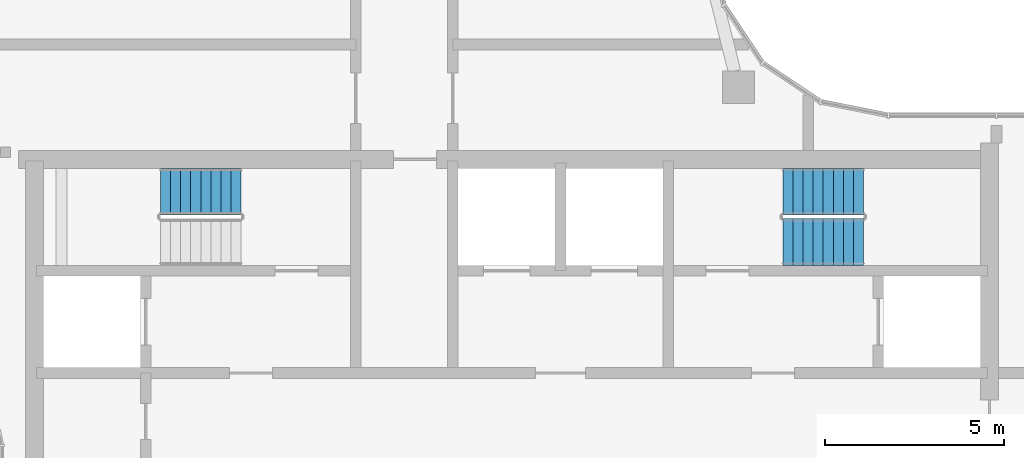
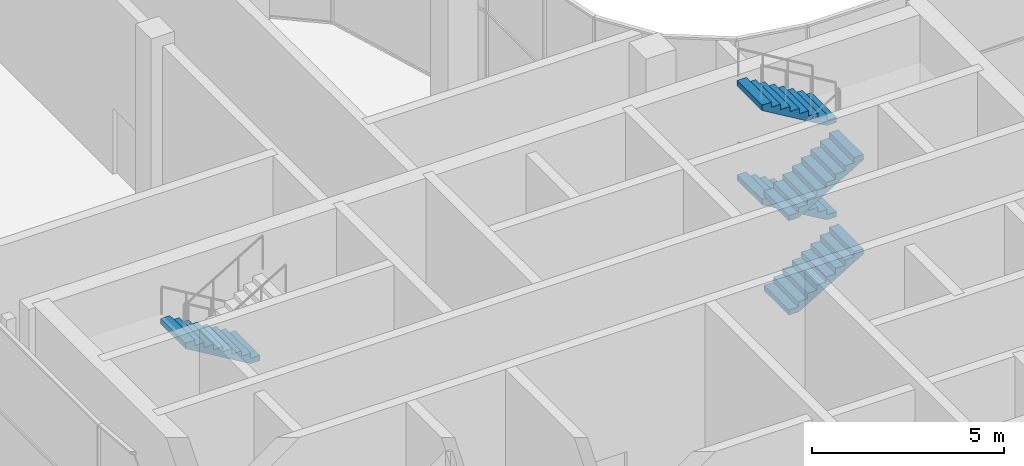
# One storey, part 19 of 21: 5 stair flights, 2 elements without a shape of their own.
"""IFC4 building model written with IfcOpenShell, lengths in metres."""

from ifc_helpers import new_model, si_unit, direction, frame, origin, place, context, subcontext, project, spatial, triangles, source, transform, mapped, material, type_object, element, aggregate, save


model = new_model("IFC4")

# Units and contexts
model_context = context("Model", 3, precision=1e-05, world=origin(), true_north=direction((0.0, 1.0)))
body_context = subcontext(model_context, "Body", "Model", "MODEL_VIEW")
ifc_project = project(units=[si_unit("LENGTHUNIT", "METRE"), si_unit("AREAUNIT", "SQUARE_METRE"), si_unit("VOLUMEUNIT", "CUBIC_METRE"), si_unit("PLANEANGLEUNIT", "RADIAN"), si_unit("MASSUNIT", "GRAM", prefix="KILO")], contexts=[model_context])

# Site, building, storey
site_placement = place(None, origin())
site = spatial("IfcSite", under=ifc_project, at=site_placement, CompositionType="ELEMENT")
building_placement = place(site_placement, origin())
building = spatial("IfcBuilding", under=site, at=building_placement, Name="Ogive Portal Towers", CompositionType="ELEMENT")
storey_placement = place(building_placement, frame((0.0, 0.0, 266.89990234375)))
storey = spatial("IfcBuildingStorey", under=building, at=storey_placement, Name="L65", CompositionType="ELEMENT", Elevation=266.89990234375)

# Stair, stair flight
ifc_material = material(Name="Concrete C40/50", Category="concrete")
stair_type = type_object("IfcStairType", Name="INT-STAIR", PredefinedType="HALF_TURN_STAIR", material=ifc_material)
stair_1_placement = place(storey_placement, origin())
stair_1 = element("IfcStair", 1, at=stair_1_placement, inside=storey, type_object=stair_type, Name="L65 Exit Stair ST-A1", PredefinedType="HALF_TURN_STAIR")
stair_flight_type = type_object("IfcStairFlightType", Name="INT-FLIGHT", PredefinedType="STRAIGHT", material=ifc_material)
shared_shape = source(origin(), body_context, "Body", "Tessellation", [
    triangles([(0.0, -0.650146484375, 0.0), (0.0, -0.376220703125, 0.0), (0.0, -0.192626953125, 0.0), (0.0, -0.081298828125, 0.0), (0.0, -0.024169921875, 0.0), (0.0, -0.003173828125, 0.0), (0.0, 0.0, 0.0), (0.0, 0.0029296875, 0.0), (0.0, 0.02392578125, 0.0), (0.0, 0.0810546875, 0.0), (0.0, 0.1923828125, 0.0), (0.0, 0.3759765625, 0.0), (0.0, 0.64990234375, 0.0), (0.0, -0.650146484375, 0.166748046875), (0.0, -0.376220703125, 0.166748046875), (0.0, -0.192626953125, 0.166748046875), (0.0, -0.081298828125, 0.166748046875), (0.0, -0.024169921875, 0.166748046875), (0.0, -0.003173828125, 0.166748046875), (0.0, 0.0, 0.166748046875), (0.0, 0.0029296875, 0.166748046875), (0.0, 0.02392578125, 0.166748046875), (0.0, 0.0810546875, 0.166748046875), (0.0, 0.1923828125, 0.166748046875), (0.0, 0.3759765625, 0.166748046875), (0.0, 0.64990234375, 0.166748046875), (0.280029296875, -0.650146484375, 0.166748046875), (0.280029296875, -0.376220703125, 0.166748046875), (0.280029296875, -0.192626953125, 0.166748046875), (0.280029296875, -0.081298828125, 0.166748046875), (0.280029296875, -0.024169921875, 0.166748046875), (0.280029296875, -0.003173828125, 0.166748046875), (0.280029296875, 0.0, 0.166748046875), (0.280029296875, 0.0029296875, 0.166748046875), (0.280029296875, 0.02392578125, 0.166748046875), (0.280029296875, 0.0810546875, 0.166748046875), (0.280029296875, 0.1923828125, 0.166748046875), (0.280029296875, 0.3759765625, 0.166748046875), (0.280029296875, 0.64990234375, 0.166748046875), (0.280029296875, -0.650146484375, 0.333251953125), (0.280029296875, -0.376220703125, 0.333251953125), (0.280029296875, -0.192626953125, 0.333251953125), (0.280029296875, -0.081298828125, 0.333251953125), (0.280029296875, -0.024169921875, 0.333251953125), (0.280029296875, -0.003173828125, 0.333251953125), (0.280029296875, 0.0, 0.333251953125), (0.280029296875, 0.0029296875, 0.333251953125), (0.280029296875, 0.02392578125, 0.333251953125), (0.280029296875, 0.0810546875, 0.333251953125), (0.280029296875, 0.1923828125, 0.333251953125), (0.280029296875, 0.3759765625, 0.333251953125), (0.280029296875, 0.64990234375, 0.333251953125), (0.56005859375, -0.650146484375, 0.333251953125), (0.56005859375, -0.376220703125, 0.333251953125), (0.56005859375, -0.192626953125, 0.333251953125), (0.56005859375, -0.081298828125, 0.333251953125), (0.56005859375, -0.024169921875, 0.333251953125), (0.56005859375, -0.003173828125, 0.333251953125), (0.56005859375, 0.0, 0.333251953125), (0.56005859375, 0.0029296875, 0.333251953125), (0.56005859375, 0.02392578125, 0.333251953125), (0.56005859375, 0.0810546875, 0.333251953125), (0.56005859375, 0.1923828125, 0.333251953125), (0.56005859375, 0.3759765625, 0.333251953125), (0.56005859375, 0.64990234375, 0.333251953125), (0.56005859375, -0.650146484375, 0.5), (0.56005859375, -0.376220703125, 0.5), (0.56005859375, -0.192626953125, 0.5), (0.56005859375, -0.081298828125, 0.5), (0.56005859375, -0.024169921875, 0.5), (0.56005859375, -0.003173828125, 0.5), (0.56005859375, 0.0, 0.5), (0.56005859375, 0.0029296875, 0.5), (0.56005859375, 0.02392578125, 0.5), (0.56005859375, 0.0810546875, 0.5), (0.56005859375, 0.1923828125, 0.5), (0.56005859375, 0.3759765625, 0.5), (0.56005859375, 0.64990234375, 0.5), (0.840087890625, -0.650146484375, 0.5), (0.840087890625, -0.376220703125, 0.5), (0.840087890625, -0.192626953125, 0.5), (0.840087890625, -0.081298828125, 0.5), (0.840087890625, -0.024169921875, 0.5), (0.840087890625, -0.003173828125, 0.5), (0.840087890625, 0.0, 0.5), (0.840087890625, 0.0029296875, 0.5), (0.840087890625, 0.02392578125, 0.5), (0.840087890625, 0.0810546875, 0.5), (0.840087890625, 0.1923828125, 0.5), (0.840087890625, 0.3759765625, 0.5), (0.840087890625, 0.64990234375, 0.5), (0.840087890625, -0.650146484375, 0.666748046875), (0.840087890625, -0.376220703125, 0.666748046875), (0.840087890625, -0.192626953125, 0.666748046875), (0.840087890625, -0.081298828125, 0.666748046875), (0.840087890625, -0.024169921875, 0.666748046875), (0.840087890625, -0.003173828125, 0.666748046875), (0.840087890625, 0.0, 0.666748046875), (0.840087890625, 0.0029296875, 0.666748046875), (0.840087890625, 0.02392578125, 0.666748046875), (0.840087890625, 0.0810546875, 0.666748046875), (0.840087890625, 0.1923828125, 0.666748046875), (0.840087890625, 0.3759765625, 0.666748046875), (0.840087890625, 0.64990234375, 0.666748046875), (1.1201171875, -0.650146484375, 0.666748046875), (1.1201171875, -0.376220703125, 0.666748046875), (1.1201171875, -0.192626953125, 0.666748046875), (1.1201171875, -0.081298828125, 0.666748046875), (1.1201171875, -0.024169921875, 0.666748046875), (1.1201171875, -0.003173828125, 0.666748046875), (1.1201171875, 0.0, 0.666748046875), (1.1201171875, 0.0029296875, 0.666748046875), (1.1201171875, 0.02392578125, 0.666748046875), (1.1201171875, 0.0810546875, 0.666748046875), (1.1201171875, 0.1923828125, 0.666748046875), (1.1201171875, 0.3759765625, 0.666748046875), (1.1201171875, 0.64990234375, 0.666748046875), (1.1201171875, -0.650146484375, 0.833251953125), (1.1201171875, -0.376220703125, 0.833251953125), (1.1201171875, -0.192626953125, 0.833251953125), (1.1201171875, -0.081298828125, 0.833251953125), (1.1201171875, -0.024169921875, 0.833251953125), (1.1201171875, -0.003173828125, 0.833251953125), (1.1201171875, 0.0, 0.833251953125), (1.1201171875, 0.0029296875, 0.833251953125), (1.1201171875, 0.02392578125, 0.833251953125), (1.1201171875, 0.0810546875, 0.833251953125), (1.1201171875, 0.1923828125, 0.833251953125), (1.1201171875, 0.3759765625, 0.833251953125), (1.1201171875, 0.64990234375, 0.833251953125), (1.39990234375, -0.650146484375, 0.833251953125), (1.39990234375, -0.376220703125, 0.833251953125), (1.39990234375, -0.192626953125, 0.833251953125), (1.39990234375, -0.081298828125, 0.833251953125), (1.39990234375, -0.024169921875, 0.833251953125), (1.39990234375, -0.003173828125, 0.833251953125), (1.39990234375, 0.0, 0.833251953125), (1.39990234375, 0.0029296875, 0.833251953125), (1.39990234375, 0.02392578125, 0.833251953125), (1.39990234375, 0.0810546875, 0.833251953125), (1.39990234375, 0.1923828125, 0.833251953125), (1.39990234375, 0.3759765625, 0.833251953125), (1.39990234375, 0.64990234375, 0.833251953125), (1.39990234375, -0.650146484375, 1.0), (1.39990234375, -0.376220703125, 1.0), (1.39990234375, -0.192626953125, 1.0), (1.39990234375, -0.081298828125, 1.0), (1.39990234375, -0.024169921875, 1.0), (1.39990234375, -0.003173828125, 1.0), (1.39990234375, 0.0, 1.0), (1.39990234375, 0.0029296875, 1.0), (1.39990234375, 0.02392578125, 1.0), (1.39990234375, 0.0810546875, 1.0), (1.39990234375, 0.1923828125, 1.0), (1.39990234375, 0.3759765625, 1.0), (1.39990234375, 0.64990234375, 1.0), (1.679931640625, -0.650146484375, 1.0), (1.679931640625, -0.376220703125, 1.0), (1.679931640625, -0.192626953125, 1.0), (1.679931640625, -0.081298828125, 1.0), (1.679931640625, -0.024169921875, 1.0), (1.679931640625, -0.003173828125, 1.0), (1.679931640625, 0.0, 1.0), (1.679931640625, 0.0029296875, 1.0), (1.679931640625, 0.02392578125, 1.0), (1.679931640625, 0.0810546875, 1.0), (1.679931640625, 0.1923828125, 1.0), (1.679931640625, 0.3759765625, 1.0), (1.679931640625, 0.64990234375, 1.0), (1.679931640625, -0.650146484375, 1.166748046875), (1.679931640625, -0.376220703125, 1.166748046875), (1.679931640625, -0.192626953125, 1.166748046875), (1.679931640625, -0.081298828125, 1.166748046875), (1.679931640625, -0.024169921875, 1.166748046875), (1.679931640625, -0.003173828125, 1.166748046875), (1.679931640625, 0.0, 1.166748046875), (1.679931640625, 0.0029296875, 1.166748046875), (1.679931640625, 0.02392578125, 1.166748046875), (1.679931640625, 0.0810546875, 1.166748046875), (1.679931640625, 0.1923828125, 1.166748046875), (1.679931640625, 0.3759765625, 1.166748046875), (1.679931640625, 0.64990234375, 1.166748046875), (1.9599609375, -0.650146484375, 1.166748046875), (1.9599609375, -0.376220703125, 1.166748046875), (1.9599609375, -0.192626953125, 1.166748046875), (1.9599609375, -0.081298828125, 1.166748046875), (1.9599609375, -0.024169921875, 1.166748046875), (1.9599609375, -0.003173828125, 1.166748046875), (1.9599609375, 0.0, 1.166748046875), (1.9599609375, 0.0029296875, 1.166748046875), (1.9599609375, 0.02392578125, 1.166748046875), (1.9599609375, 0.0810546875, 1.166748046875), (1.9599609375, 0.1923828125, 1.166748046875), (1.9599609375, 0.3759765625, 1.166748046875), (1.9599609375, 0.64990234375, 1.166748046875), (1.9599609375, -0.650146484375, 1.333251953125), (1.9599609375, -0.376220703125, 1.333251953125), (1.9599609375, -0.192626953125, 1.333251953125), (1.9599609375, -0.081298828125, 1.333251953125), (1.9599609375, -0.024169921875, 1.333251953125), (1.9599609375, -0.003173828125, 1.333251953125), (1.9599609375, 0.0, 1.333251953125), (1.9599609375, 0.0029296875, 1.333251953125), (1.9599609375, 0.02392578125, 1.333251953125), (1.9599609375, 0.0810546875, 1.333251953125), (1.9599609375, 0.1923828125, 1.333251953125), (1.9599609375, 0.3759765625, 1.333251953125), (1.9599609375, 0.64990234375, 1.333251953125), (2.239990234375, -0.650146484375, 1.333251953125), (2.239990234375, -0.376220703125, 1.333251953125), (2.239990234375, -0.192626953125, 1.333251953125), (2.239990234375, -0.081298828125, 1.333251953125), (2.239990234375, -0.024169921875, 1.333251953125), (2.239990234375, -0.003173828125, 1.333251953125), (2.239990234375, 0.0, 1.333251953125), (2.239990234375, 0.0029296875, 1.333251953125), (2.239990234375, 0.02392578125, 1.333251953125), (2.239990234375, 0.0810546875, 1.333251953125), (2.239990234375, 0.1923828125, 1.333251953125), (2.239990234375, 0.3759765625, 1.333251953125), (2.239990234375, 0.64990234375, 1.333251953125), (2.239990234375, -0.650146484375, 1.158935546875), (2.239990234375, -0.376220703125, 1.158935546875), (2.239990234375, -0.192626953125, 1.158935546875), (2.239990234375, -0.081298828125, 1.158935546875), (2.239990234375, -0.024169921875, 1.158935546875), (2.239990234375, -0.003173828125, 1.158935546875), (2.239990234375, 0.0, 1.158935546875), (2.239990234375, 0.0029296875, 1.158935546875), (2.239990234375, 0.02392578125, 1.158935546875), (2.239990234375, 0.0810546875, 1.158935546875), (2.239990234375, 0.1923828125, 1.158935546875), (2.239990234375, 0.3759765625, 1.158935546875), (2.239990234375, 0.64990234375, 1.158935546875), (0.29296875, -0.650146484375, 0.0), (0.29296875, -0.376220703125, 0.0), (0.29296875, -0.192626953125, 0.0), (0.29296875, -0.081298828125, 0.0), (0.29296875, -0.024169921875, 0.0), (0.29296875, -0.003173828125, 0.0), (0.29296875, 0.0, 0.0), (0.29296875, 0.0029296875, 0.0), (0.29296875, 0.02392578125, 0.0), (0.29296875, 0.0810546875, 0.0), (0.29296875, 0.1923828125, 0.0), (0.29296875, 0.3759765625, 0.0), (0.29296875, 0.64990234375, 0.0)], [[1, 14, 15], [1, 15, 2], [2, 15, 16], [2, 16, 3], [3, 16, 17], [3, 17, 4], [4, 17, 18], [4, 18, 5], [5, 18, 19], [5, 19, 6], [6, 19, 20], [6, 20, 7], [7, 20, 21], [7, 21, 8], [8, 21, 22], [8, 22, 9], [9, 22, 23], [9, 23, 10], [10, 23, 24], [10, 24, 11], [11, 24, 25], [11, 25, 12], [12, 25, 26], [12, 26, 13], [14, 27, 28], [14, 28, 15], [15, 28, 29], [15, 29, 16], [16, 29, 30], [16, 30, 17], [17, 30, 31], [17, 31, 18], [18, 31, 32], [18, 32, 19], [19, 32, 33], [19, 33, 20], [20, 33, 34], [20, 34, 21], [21, 34, 35], [21, 35, 22], [22, 35, 36], [22, 36, 23], [23, 36, 37], [23, 37, 24], [24, 37, 38], [24, 38, 25], [25, 38, 39], [25, 39, 26], [27, 40, 41], [27, 41, 28], [28, 41, 42], [28, 42, 29], [29, 42, 43], [29, 43, 30], [30, 43, 44], [30, 44, 31], [31, 44, 45], [31, 45, 32], [32, 45, 46], [32, 46, 33], [33, 46, 47], [33, 47, 34], [34, 47, 48], [34, 48, 35], [35, 48, 49], [35, 49, 36], [36, 49, 50], [36, 50, 37], [37, 50, 51], [37, 51, 38], [38, 51, 52], [38, 52, 39], [40, 53, 54], [40, 54, 41], [41, 54, 55], [41, 55, 42], [42, 55, 56], [42, 56, 43], [43, 56, 57], [43, 57, 44], [44, 57, 58], [44, 58, 45], [45, 58, 59], [45, 59, 46], [46, 59, 60], [46, 60, 47], [47, 60, 61], [47, 61, 48], [48, 61, 62], [48, 62, 49], [49, 62, 63], [49, 63, 50], [50, 63, 64], [50, 64, 51], [51, 64, 65], [51, 65, 52], [53, 66, 67], [53, 67, 54], [54, 67, 68], [54, 68, 55], [55, 68, 69], [55, 69, 56], [56, 69, 70], [56, 70, 57], [57, 70, 71], [57, 71, 58], [58, 71, 72], [58, 72, 59], [59, 72, 73], [59, 73, 60], [60, 73, 74], [60, 74, 61], [61, 74, 75], [61, 75, 62], [62, 75, 76], [62, 76, 63], [63, 76, 77], [63, 77, 64], [64, 77, 78], [64, 78, 65], [66, 79, 80], [66, 80, 67], [67, 80, 81], [67, 81, 68], [68, 81, 82], [68, 82, 69], [69, 82, 83], [69, 83, 70], [70, 83, 84], [70, 84, 71], [71, 84, 85], [71, 85, 72], [72, 85, 86], [72, 86, 73], [73, 86, 87], [73, 87, 74], [74, 87, 88], [74, 88, 75], [75, 88, 89], [75, 89, 76], [76, 89, 90], [76, 90, 77], [77, 90, 91], [77, 91, 78], [79, 92, 93], [79, 93, 80], [80, 93, 94], [80, 94, 81], [81, 94, 95], [81, 95, 82], [82, 95, 96], [82, 96, 83], [83, 96, 97], [83, 97, 84], [84, 97, 98], [84, 98, 85], [85, 98, 99], [85, 99, 86], [86, 99, 100], [86, 100, 87], [87, 100, 101], [87, 101, 88], [88, 101, 102], [88, 102, 89], [89, 102, 103], [89, 103, 90], [90, 103, 104], [90, 104, 91], [92, 105, 106], [92, 106, 93], [93, 106, 107], [93, 107, 94], [94, 107, 108], [94, 108, 95], [95, 108, 109], [95, 109, 96], [96, 109, 110], [96, 110, 97], [97, 110, 111], [97, 111, 98], [98, 111, 112], [98, 112, 99], [99, 112, 113], [99, 113, 100], [100, 113, 114], [100, 114, 101], [101, 114, 115], [101, 115, 102], [102, 115, 116], [102, 116, 103], [103, 116, 117], [103, 117, 104], [105, 118, 119], [105, 119, 106], [106, 119, 120], [106, 120, 107], [107, 120, 121], [107, 121, 108], [108, 121, 122], [108, 122, 109], [109, 122, 123], [109, 123, 110], [110, 123, 124], [110, 124, 111], [111, 124, 125], [111, 125, 112], [112, 125, 126], [112, 126, 113], [113, 126, 127], [113, 127, 114], [114, 127, 128], [114, 128, 115], [115, 128, 129], [115, 129, 116], [116, 129, 130], [116, 130, 117], [118, 131, 132], [118, 132, 119], [119, 132, 133], [119, 133, 120], [120, 133, 134], [120, 134, 121], [121, 134, 135], [121, 135, 122], [122, 135, 136], [122, 136, 123], [123, 136, 137], [123, 137, 124], [124, 137, 138], [124, 138, 125], [125, 138, 139], [125, 139, 126], [126, 139, 140], [126, 140, 127], [127, 140, 141], [127, 141, 128], [128, 141, 142], [128, 142, 129], [129, 142, 143], [129, 143, 130], [131, 144, 145], [131, 145, 132], [132, 145, 146], [132, 146, 133], [133, 146, 147], [133, 147, 134], [134, 147, 148], [134, 148, 135], [135, 148, 149], [135, 149, 136], [136, 149, 150], [136, 150, 137], [137, 150, 151], [137, 151, 138], [138, 151, 152], [138, 152, 139], [139, 152, 153], [139, 153, 140], [140, 153, 154], [140, 154, 141], [141, 154, 155], [141, 155, 142], [142, 155, 156], [142, 156, 143], [144, 157, 158], [144, 158, 145], [145, 158, 159], [145, 159, 146], [146, 159, 160], [146, 160, 147], [147, 160, 161], [147, 161, 148], [148, 161, 162], [148, 162, 149], [149, 162, 163], [149, 163, 150], [150, 163, 164], [150, 164, 151], [151, 164, 165], [151, 165, 152], [152, 165, 166], [152, 166, 153], [153, 166, 167], [153, 167, 154], [154, 167, 168], [154, 168, 155], [155, 168, 169], [155, 169, 156], [157, 170, 171], [157, 171, 158], [158, 171, 172], [158, 172, 159], [159, 172, 173], [159, 173, 160], [160, 173, 174], [160, 174, 161], [161, 174, 175], [161, 175, 162], [162, 175, 176], [162, 176, 163], [163, 176, 177], [163, 177, 164], [164, 177, 178], [164, 178, 165], [165, 178, 179], [165, 179, 166], [166, 179, 180], [166, 180, 167], [167, 180, 181], [167, 181, 168], [168, 181, 182], [168, 182, 169], [170, 183, 184], [170, 184, 171], [171, 184, 185], [171, 185, 172], [172, 185, 186], [172, 186, 173], [173, 186, 187], [173, 187, 174], [174, 187, 188], [174, 188, 175], [175, 188, 189], [175, 189, 176], [176, 189, 190], [176, 190, 177], [177, 190, 191], [177, 191, 178], [178, 191, 192], [178, 192, 179], [179, 192, 193], [179, 193, 180], [180, 193, 194], [180, 194, 181], [181, 194, 195], [181, 195, 182], [183, 196, 197], [183, 197, 184], [184, 197, 198], [184, 198, 185], [185, 198, 199], [185, 199, 186], [186, 199, 200], [186, 200, 187], [187, 200, 201], [187, 201, 188], [188, 201, 202], [188, 202, 189], [189, 202, 203], [189, 203, 190], [190, 203, 204], [190, 204, 191], [191, 204, 205], [191, 205, 192], [192, 205, 206], [192, 206, 193], [193, 206, 207], [193, 207, 194], [194, 207, 208], [194, 208, 195], [196, 209, 210], [196, 210, 197], [197, 210, 211], [197, 211, 198], [198, 211, 212], [198, 212, 199], [199, 212, 213], [199, 213, 200], [200, 213, 214], [200, 214, 201], [201, 214, 215], [201, 215, 202], [202, 215, 216], [202, 216, 203], [203, 216, 217], [203, 217, 204], [204, 217, 218], [204, 218, 205], [205, 218, 219], [205, 219, 206], [206, 219, 220], [206, 220, 207], [207, 220, 221], [207, 221, 208], [209, 222, 223], [209, 223, 210], [210, 223, 224], [210, 224, 211], [211, 224, 225], [211, 225, 212], [212, 225, 226], [212, 226, 213], [213, 226, 227], [213, 227, 214], [214, 227, 228], [214, 228, 215], [215, 228, 229], [215, 229, 216], [216, 229, 230], [216, 230, 217], [217, 230, 231], [217, 231, 218], [218, 231, 232], [218, 232, 219], [219, 232, 233], [219, 233, 220], [220, 233, 234], [220, 234, 221], [222, 235, 236], [222, 236, 223], [223, 236, 237], [223, 237, 224], [224, 237, 238], [224, 238, 225], [225, 238, 239], [225, 239, 226], [226, 239, 240], [226, 240, 227], [227, 240, 241], [227, 241, 228], [228, 241, 242], [228, 242, 229], [229, 242, 243], [229, 243, 230], [230, 243, 244], [230, 244, 231], [231, 244, 245], [231, 245, 232], [232, 245, 246], [232, 246, 233], [233, 246, 247], [233, 247, 234], [235, 1, 2], [235, 2, 236], [236, 2, 3], [236, 3, 237], [237, 3, 4], [237, 4, 238], [238, 4, 5], [238, 5, 239], [239, 5, 6], [239, 6, 240], [240, 6, 7], [240, 7, 241], [241, 7, 8], [241, 8, 242], [242, 8, 9], [242, 9, 243], [243, 9, 10], [243, 10, 244], [244, 10, 11], [244, 11, 245], [245, 11, 12], [245, 12, 246], [246, 12, 13], [246, 13, 247], [1, 235, 222], [13, 234, 247], [222, 209, 196], [234, 208, 221], [222, 196, 183], [234, 195, 208], [222, 183, 170], [234, 182, 195], [222, 170, 157], [234, 169, 182], [157, 144, 131], [169, 143, 156], [222, 157, 131], [234, 143, 169], [131, 118, 105], [143, 117, 130], [222, 131, 105], [234, 117, 143], [105, 92, 79], [117, 91, 104], [222, 105, 79], [234, 91, 117], [79, 66, 53], [91, 65, 78], [222, 79, 53], [234, 65, 91], [1, 222, 53], [13, 65, 234], [53, 40, 27], [65, 39, 52], [1, 53, 27], [13, 39, 65], [27, 14, 1], [39, 13, 26]], closed=True),
])
stair_flight_1_placement = place(storey_placement, frame((37.449951171875, 38.39990234375, 3.0), z_axis=(0.0, 0.0, 1.0), x_axis=(-1.0, 0.0, 0.0)))
stair_flight_1 = element("IfcStairFlight", 2, at=stair_flight_1_placement, type_object=stair_flight_type, Name="ST-A1 flight 3", NumberOfRisers=9, NumberOfTreads=8, PredefinedType="STRAIGHT", RiserHeight=0.166666667, TreadLength=0.28, context=body_context, shape_type="MappedRepresentation", body=[
    mapped(shared_shape, transform((0.0, 0.0, 0.0), scale=1.0)),
])
aggregate(stair_1, [stair_flight_1])

# Stair, stair flights
stair_2_placement = place(storey_placement, origin())
stair_2 = element("IfcStair", 3, at=stair_2_placement, inside=storey, type_object=stair_type, Name="L65 Exit Stair ST-A2", PredefinedType="HALF_TURN_STAIR")
stair_flight_2_placement = place(storey_placement, frame((52.550048828125, 37.0, 0.0), z_axis=(0.0, 0.0, 1.0), x_axis=(1.0, 0.0, 0.0)))
stair_flight_2 = element("IfcStairFlight", 4, at=stair_flight_2_placement, type_object=stair_flight_type, Name="ST-A2 flight 1", NumberOfRisers=9, NumberOfTreads=8, PredefinedType="STRAIGHT", RiserHeight=0.166666667, TreadLength=0.28, context=body_context, shape_type="MappedRepresentation", body=[
    mapped(shared_shape, transform((0.0, 0.0, 0.0), scale=1.0)),
])
stair_flight_3_placement = place(storey_placement, frame((54.7900390625, 38.39990234375, 1.5), z_axis=(0.0, 0.0, 1.0), x_axis=(-1.0, 0.0, 0.0)))
stair_flight_3 = element("IfcStairFlight", 5, at=stair_flight_3_placement, type_object=stair_flight_type, Name="ST-A2 flight 2", NumberOfRisers=9, NumberOfTreads=8, PredefinedType="STRAIGHT", RiserHeight=0.166666667, TreadLength=0.28, context=body_context, shape_type="MappedRepresentation", body=[
    mapped(shared_shape, transform((0.0, 0.0, 0.0), scale=1.0)),
])
stair_flight_4_placement = place(storey_placement, frame((52.550048828125, 37.0, 3.0), z_axis=(0.0, 0.0, 1.0), x_axis=(1.0, 0.0, 0.0)))
stair_flight_4 = element("IfcStairFlight", 6, at=stair_flight_4_placement, type_object=stair_flight_type, Name="ST-A2 flight 3", NumberOfRisers=9, NumberOfTreads=8, PredefinedType="STRAIGHT", RiserHeight=0.166666667, TreadLength=0.28, context=body_context, shape_type="MappedRepresentation", body=[
    mapped(shared_shape, transform((0.0, 0.0, 0.0), scale=1.0)),
])
stair_flight_5_placement = place(storey_placement, frame((54.7900390625, 38.39990234375, 4.5), z_axis=(0.0, 0.0, 1.0), x_axis=(-1.0, 0.0, 0.0)))
stair_flight_5 = element("IfcStairFlight", 7, at=stair_flight_5_placement, type_object=stair_flight_type, Name="ST-A2 flight 4", NumberOfRisers=9, NumberOfTreads=8, PredefinedType="STRAIGHT", RiserHeight=0.166666667, TreadLength=0.28, context=body_context, shape_type="MappedRepresentation", body=[
    mapped(shared_shape, transform((0.0, 0.0, 0.0), scale=1.0)),
])
aggregate(stair_2, [stair_flight_2, stair_flight_3, stair_flight_4, stair_flight_5])

save(model, "model.ifc")
